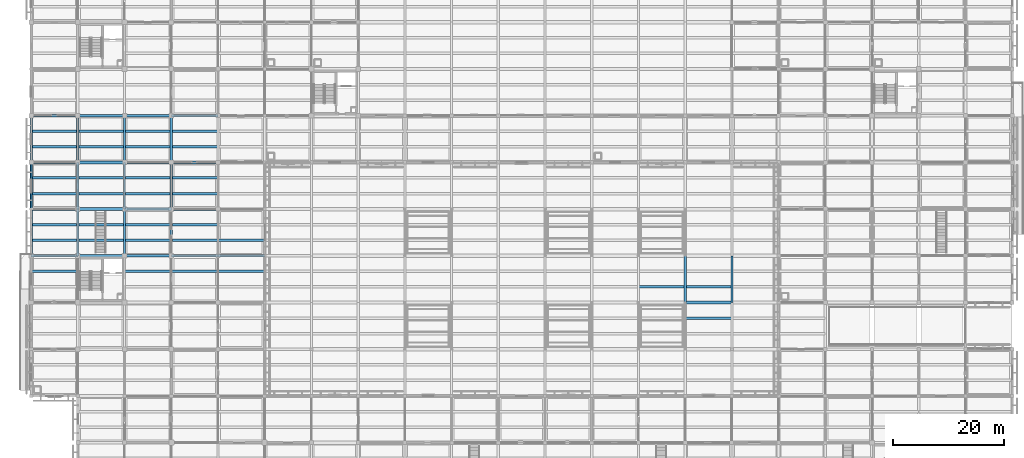
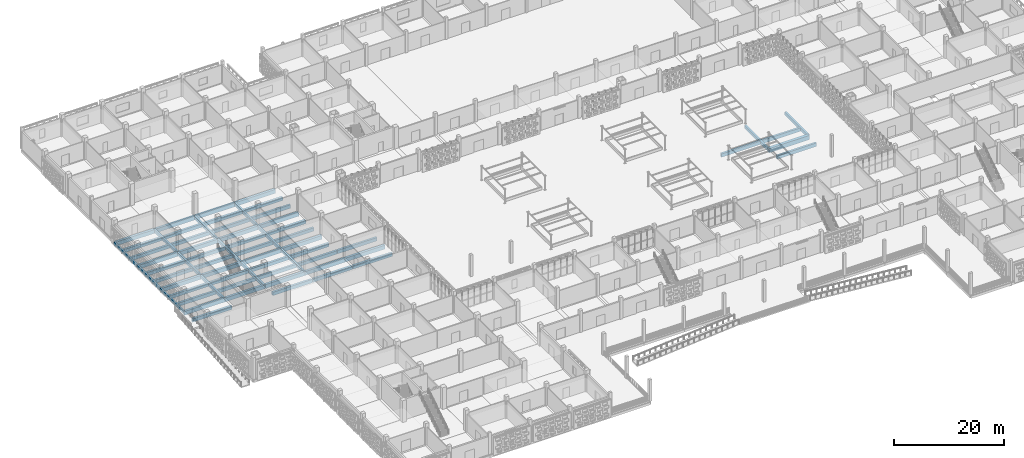
# One storey, part 20 of 129: 64 beams.
"""IFC4 building model written with IfcOpenShell, lengths in metres."""

from ifc_helpers import new_model, si_unit, direction, frame, origin, origin_2d, place, context, subcontext, project, spatial, rectangle, extrude, material, material_profile, profile_set, type_object, element, save


model = new_model("IFC4")

# Units and contexts
model_context = context("Model", 3, precision=1e-05, world=origin(), true_north=direction((0.0, 1.0)))
body_context = subcontext(model_context, "Body", "Model", "MODEL_VIEW")
ifc_project = project(units=[si_unit("LENGTHUNIT", "METRE"), si_unit("AREAUNIT", "SQUARE_METRE"), si_unit("VOLUMEUNIT", "CUBIC_METRE"), si_unit("PLANEANGLEUNIT", "RADIAN"), si_unit("MASSUNIT", "GRAM", prefix="KILO")], contexts=[model_context])

# Site, building, storey
site_placement = place(None, origin())
site = spatial("IfcSite", under=ifc_project, at=site_placement, CompositionType="ELEMENT")
building_placement = place(site_placement, origin())
building = spatial("IfcBuilding", under=site, at=building_placement, Name="Varnapada Polytechnic", CompositionType="ELEMENT")
storey_placement = place(building_placement, origin())
storey = spatial("IfcBuildingStorey", under=building, at=storey_placement, Name="L00", CompositionType="ELEMENT", Elevation=0.0)

# Beams
ifc_material = material(Name="Concrete C40/50", Category="concrete")
ifc_material_profile_1 = material_profile(ifc_material, rectangle(XDim=0.449951171875, YDim=0.75, at=origin_2d()), Name="RC 450x750")
ifc_profile_set_1 = profile_set([ifc_material_profile_1], Name="Concrete C40/50")
beam_type_1 = type_object("IfcBeamType", Name="Basement/podium secondary beam BB-01 (RC 450x750)", PredefinedType="BEAM", material=ifc_profile_set_1)
for number, where, z_axis, x_axis, name in (
    (1, (0.080078125, 64.39990234375, -0.675048828125), (1.0, 0.0, 0.0), (0.0, 1.0, 0.0), "L00 floor joist 1/8.2"),
    (2, (0.080078125, 70.0, -0.675048828125), (1.0, 0.0, 0.0), (0.0, 1.0, 0.0), "L00 floor joist 1/9.1"),
    (3, (0.080078125, 72.800048828125, -0.675048828125), (1.0, 0.0, 0.0), (0.0, 1.0, 0.0), "L00 floor joist 1/9.2"),
    (4, (0.080078125, 78.39990234375, -0.675048828125), (1.0, 0.0, 0.0), (0.0, 1.0, 0.0), "L00 floor joist 1/10.1"),
    (5, (0.080078125, 81.199951171875, -0.675048828125), (1.0, 0.0, 0.0), (0.0, 1.0, 0.0), "L00 floor joist 1/10.2"),
    (6, (0.080078125, 86.800048828125, -0.675048828125), (1.0, 0.0, 0.0), (0.0, 1.0, 0.0), "L00 floor joist 1/11.1"),
    (7, (0.080078125, 89.60009765625, -0.675048828125), (1.0, 0.0, 0.0), (0.0, 1.0, 0.0), "L00 floor joist 1/11.2"),
    (8, (8.47998046875, 70.0, -0.675048828125), (1.0, 0.0, 0.0), (0.0, 1.0, 0.0), "L00 floor joist 2/9.1"),
    (9, (8.47998046875, 72.800048828125, -0.675048828125), (1.0, 0.0, 0.0), (0.0, 1.0, 0.0), "L00 floor joist 2/9.2"),
    (10, (8.47998046875, 78.39990234375, -0.675048828125), (1.0, 0.0, 0.0), (0.0, 1.0, 0.0), "L00 floor joist 2/10.1"),
    (11, (8.47998046875, 81.199951171875, -0.675048828125), (1.0, 0.0, 0.0), (0.0, 1.0, 0.0), "L00 floor joist 2/10.2"),
    (12, (8.47998046875, 86.800048828125, -0.675048828125), (1.0, 0.0, 0.0), (0.0, 1.0, 0.0), "L00 floor joist 2/11.1"),
    (13, (8.47998046875, 89.60009765625, -0.675048828125), (1.0, 0.0, 0.0), (0.0, 1.0, 0.0), "L00 floor joist 2/11.2"),
):
    element("IfcBeam", number, at=place(storey_placement, frame(where, z_axis=z_axis, x_axis=x_axis)), inside=storey, type_object=beam_type_1, Name=name, PredefinedType="BEAM", context=body_context, shape_type="SweptSolid", body=[
        extrude(rectangle(XDim=0.449951171875, YDim=0.75, at=origin_2d()), origin(), (0.0, 0.0, 1.0), 8.239990234375),
    ])
for number, where, z_axis, x_axis, name in (
    (14, (16.8798828125, 64.39990234375, -0.675048828125), (1.0, 0.0, 0.0), (0.0, 1.0, 0.0), "L00 floor joist 3/8.2"),
    (15, (16.8798828125, 70.0, -0.675048828125), (1.0, 0.0, 0.0), (0.0, 1.0, 0.0), "L00 floor joist 3/9.1"),
    (16, (16.8798828125, 72.800048828125, -0.675048828125), (1.0, 0.0, 0.0), (0.0, 1.0, 0.0), "L00 floor joist 3/9.2"),
    (17, (16.8798828125, 78.39990234375, -0.675048828125), (1.0, 0.0, 0.0), (0.0, 1.0, 0.0), "L00 floor joist 3/10.1"),
    (18, (16.8798828125, 81.199951171875, -0.675048828125), (1.0, 0.0, 0.0), (0.0, 1.0, 0.0), "L00 floor joist 3/10.2"),
    (19, (16.8798828125, 86.800048828125, -0.675048828125), (1.0, 0.0, 0.0), (0.0, 1.0, 0.0), "L00 floor joist 3/11.1"),
    (20, (16.8798828125, 89.60009765625, -0.675048828125), (1.0, 0.0, 0.0), (0.0, 1.0, 0.0), "L00 floor joist 3/11.2"),
):
    element("IfcBeam", number, at=place(storey_placement, frame(where, z_axis=z_axis, x_axis=x_axis)), inside=storey, type_object=beam_type_1, Name=name, PredefinedType="BEAM", context=body_context, shape_type="SweptSolid", body=[
        extrude(rectangle(XDim=0.449951171875, YDim=0.75, at=origin_2d()), origin(), (0.0, 0.0, 1.0), 8.240234375),
    ])
for number, where, z_axis, x_axis, name in (
    (21, (25.280029296875, 64.39990234375, -0.675048828125), (1.0, 0.0, 0.0), (0.0, 1.0, 0.0), "L00 floor joist 4/8.2"),
    (22, (25.280029296875, 70.0, -0.675048828125), (1.0, 0.0, 0.0), (0.0, 1.0, 0.0), "L00 floor joist 4/9.1"),
    (23, (25.280029296875, 72.800048828125, -0.675048828125), (1.0, 0.0, 0.0), (0.0, 1.0, 0.0), "L00 floor joist 4/9.2"),
    (24, (25.280029296875, 78.39990234375, -0.675048828125), (1.0, 0.0, 0.0), (0.0, 1.0, 0.0), "L00 floor joist 4/10.1"),
    (25, (25.280029296875, 81.199951171875, -0.675048828125), (1.0, 0.0, 0.0), (0.0, 1.0, 0.0), "L00 floor joist 4/10.2"),
    (26, (25.280029296875, 86.800048828125, -0.675048828125), (1.0, 0.0, 0.0), (0.0, 1.0, 0.0), "L00 floor joist 4/11.1"),
    (27, (25.280029296875, 89.60009765625, -0.675048828125), (1.0, 0.0, 0.0), (0.0, 1.0, 0.0), "L00 floor joist 4/11.2"),
    (28, (33.679931640625, 64.39990234375, -0.675048828125), (1.0, 0.0, 0.0), (0.0, 1.0, 0.0), "L00 floor joist 5/8.2"),
    (29, (33.679931640625, 70.0, -0.675048828125), (1.0, 0.0, 0.0), (0.0, 1.0, 0.0), "L00 floor joist 5/9.1"),
    (30, (109.280029296875, 61.60009765625, -0.655029296875), (1.0, 0.0, 0.0), (0.0, 1.0, 0.0), "L00 floor joist 14/8.1"),
    (31, (117.679931640625, 56.0, -0.655029296875), (1.0, 0.0, 0.0), (0.0, 1.0, 0.0), "L00 floor joist 15/7.2"),
    (32, (117.679931640625, 61.60009765625, -0.655029296875), (1.0, 0.0, 0.0), (0.0, 1.0, 0.0), "L00 floor joist 15/8.1"),
):
    element("IfcBeam", number, at=place(storey_placement, frame(where, z_axis=z_axis, x_axis=x_axis)), inside=storey, type_object=beam_type_1, Name=name, PredefinedType="BEAM", context=body_context, shape_type="SweptSolid", body=[
        extrude(rectangle(XDim=0.449951171875, YDim=0.75, at=origin_2d()), origin(), (0.0, 0.0, 1.0), 8.239990234375),
    ])
ifc_material_profile_2 = material_profile(ifc_material, rectangle(XDim=0.35009765625, YDim=0.550048828125, at=origin_2d()), Name="RC 350x550")
ifc_profile_set_2 = profile_set([ifc_material_profile_2], Name="Concrete C40/50")
beam_type_2 = type_object("IfcBeamType", Name="Concrete podium spandrel beam SP-01 (RC 350x550)", PredefinedType="SPANDREL", material=ifc_profile_set_2)
beam_1_placement = place(storey_placement, frame((0.0, 67.199951171875, -0.574951171875), z_axis=(0.0, 1.0, 0.0), x_axis=(-1.0, 0.0, 0.0)))
element("IfcBeam", 33, at=beam_1_placement, inside=storey, type_object=beam_type_2, Name="L00 beam Y 9-10 at X1", PredefinedType="SPANDREL", context=body_context, shape_type="SweptSolid", body=[
    extrude(rectangle(XDim=0.35009765625, YDim=0.550048828125, at=origin_2d()), origin(), (0.0, 0.0, 1.0), 8.400146484375),
])
for number, where, z_axis, x_axis, name in (
    (34, (0.0, 75.60009765625, -0.574951171875), (0.0, 1.0, 0.0), (-1.0, 0.0, 0.0), "L00 beam Y 10-11 at X1"),
    (35, (0.0, 84.0, -0.574951171875), (0.0, 1.0, 0.0), (-1.0, 0.0, 0.0), "L00 beam Y 11-12 at X1"),
):
    element("IfcBeam", number, at=place(storey_placement, frame(where, z_axis=z_axis, x_axis=x_axis)), inside=storey, type_object=beam_type_2, Name=name, PredefinedType="SPANDREL", context=body_context, shape_type="SweptSolid", body=[
        extrude(rectangle(XDim=0.35009765625, YDim=0.550048828125, at=origin_2d()), origin(), (0.0, 0.0, 1.0), 8.39990234375),
    ])
ifc_material_profile_3 = material_profile(ifc_material, rectangle(XDim=0.39990234375, YDim=0.64990234375, at=origin_2d()), Name="RC 400x650")
ifc_profile_set_3 = profile_set([ifc_material_profile_3], Name="Concrete C40/50")
beam_type_3 = type_object("IfcBeamType", Name="Podium framing beam BB-02 (RC 400x650)", PredefinedType="BEAM", material=ifc_profile_set_3)
beam_2_placement = place(storey_placement, frame((8.39990234375, 67.199951171875, -0.625), z_axis=(0.0, 1.0, 0.0), x_axis=(-1.0, 0.0, 0.0)))
element("IfcBeam", 36, at=beam_2_placement, inside=storey, type_object=beam_type_3, Name="L00 beam Y 9-10 at X2", PredefinedType="BEAM", context=body_context, shape_type="SweptSolid", body=[
    extrude(rectangle(XDim=0.39990234375, YDim=0.64990234375, at=origin_2d()), origin(), (0.0, 0.0, 1.0), 8.400146484375),
])
for number, where, z_axis, x_axis, name in (
    (37, (8.39990234375, 75.60009765625, -0.625), (0.0, 1.0, 0.0), (-1.0, 0.0, 0.0), "L00 beam Y 10-11 at X2"),
    (38, (8.39990234375, 84.0, -0.625), (0.0, 1.0, 0.0), (-1.0, 0.0, 0.0), "L00 beam Y 11-12 at X2"),
):
    element("IfcBeam", number, at=place(storey_placement, frame(where, z_axis=z_axis, x_axis=x_axis)), inside=storey, type_object=beam_type_3, Name=name, PredefinedType="BEAM", context=body_context, shape_type="SweptSolid", body=[
        extrude(rectangle(XDim=0.39990234375, YDim=0.64990234375, at=origin_2d()), origin(), (0.0, 0.0, 1.0), 8.39990234375),
    ])
beam_3_placement = place(storey_placement, frame((16.800048828125, 67.199951171875, -0.625), z_axis=(0.0, 1.0, 0.0), x_axis=(-1.0, 0.0, 0.0)))
element("IfcBeam", 39, at=beam_3_placement, inside=storey, type_object=beam_type_3, Name="L00 beam Y 9-10 at X3", PredefinedType="BEAM", context=body_context, shape_type="SweptSolid", body=[
    extrude(rectangle(XDim=0.39990234375, YDim=0.64990234375, at=origin_2d()), origin(), (0.0, 0.0, 1.0), 8.400146484375),
])
for number, where, z_axis, x_axis, name in (
    (40, (16.800048828125, 75.60009765625, -0.625), (0.0, 1.0, 0.0), (-1.0, 0.0, 0.0), "L00 beam Y 10-11 at X3"),
    (41, (16.800048828125, 84.0, -0.625), (0.0, 1.0, 0.0), (-1.0, 0.0, 0.0), "L00 beam Y 11-12 at X3"),
):
    element("IfcBeam", number, at=place(storey_placement, frame(where, z_axis=z_axis, x_axis=x_axis)), inside=storey, type_object=beam_type_3, Name=name, PredefinedType="BEAM", context=body_context, shape_type="SweptSolid", body=[
        extrude(rectangle(XDim=0.39990234375, YDim=0.64990234375, at=origin_2d()), origin(), (0.0, 0.0, 1.0), 8.39990234375),
    ])
beam_4_placement = place(storey_placement, frame((25.199951171875, 67.199951171875, -0.625), z_axis=(0.0, 1.0, 0.0), x_axis=(-1.0, 0.0, 0.0)))
element("IfcBeam", 42, at=beam_4_placement, inside=storey, type_object=beam_type_3, Name="L00 beam Y 9-10 at X4", PredefinedType="BEAM", context=body_context, shape_type="SweptSolid", body=[
    extrude(rectangle(XDim=0.39990234375, YDim=0.64990234375, at=origin_2d()), origin(), (0.0, 0.0, 1.0), 8.400146484375),
])
for number, where, z_axis, x_axis, name in (
    (43, (25.199951171875, 75.60009765625, -0.625), (0.0, 1.0, 0.0), (-1.0, 0.0, 0.0), "L00 beam Y 10-11 at X4"),
    (44, (25.199951171875, 84.0, -0.625), (0.0, 1.0, 0.0), (-1.0, 0.0, 0.0), "L00 beam Y 11-12 at X4"),
    (45, (117.60009765625, 58.800048828125, -0.60498046875), (0.0, 1.0, 0.0), (-1.0, 0.0, 0.0), "L00 beam Y 8-9 at X15"),
    (46, (126.0, 58.800048828125, -0.60498046875), (0.0, 1.0, 0.0), (-1.0, 0.0, 0.0), "L00 beam Y 8-9 at X16"),
):
    element("IfcBeam", number, at=place(storey_placement, frame(where, z_axis=z_axis, x_axis=x_axis)), inside=storey, type_object=beam_type_3, Name=name, PredefinedType="BEAM", context=body_context, shape_type="SweptSolid", body=[
        extrude(rectangle(XDim=0.39990234375, YDim=0.64990234375, at=origin_2d()), origin(), (0.0, 0.0, 1.0), 8.39990234375),
    ])
ifc_material_profile_4 = material_profile(ifc_material, rectangle(XDim=0.5, YDim=0.85009765625, at=origin_2d()), Name="RC 500x850")
ifc_profile_set_4 = profile_set([ifc_material_profile_4], Name="Concrete C40/50")
beam_type_4 = type_object("IfcBeamType", Name="Standard podium primary girder BG-02 (RC 500x850)", PredefinedType="T_BEAM", material=ifc_profile_set_4)
for number, where, z_axis, x_axis, name in (
    (47, (0.0, 67.199951171875, -0.72509765625), (1.0, 0.0, 0.0), (0.0, 1.0, 0.0), "L00 beam X 1-2 at Y9"),
    (48, (0.0, 75.60009765625, -0.72509765625), (1.0, 0.0, 0.0), (0.0, 1.0, 0.0), "L00 beam X 1-2 at Y10"),
    (49, (0.0, 84.0, -0.72509765625), (1.0, 0.0, 0.0), (0.0, 1.0, 0.0), "L00 beam X 1-2 at Y11"),
    (50, (0.0, 92.39990234375, -0.72509765625), (1.0, 0.0, 0.0), (0.0, 1.0, 0.0), "L00 beam X 1-2 at Y12"),
):
    element("IfcBeam", number, at=place(storey_placement, frame(where, z_axis=z_axis, x_axis=x_axis)), inside=storey, type_object=beam_type_4, Name=name, PredefinedType="T_BEAM", context=body_context, shape_type="SweptSolid", body=[
        extrude(rectangle(XDim=0.5, YDim=0.85009765625, at=origin_2d()), origin(), (0.0, 0.0, 1.0), 8.39990234375),
    ])
for number, where, z_axis, x_axis, name in (
    (51, (8.39990234375, 67.199951171875, -0.72509765625), (1.0, 0.0, 0.0), (0.0, 1.0, 0.0), "L00 beam X 2-3 at Y9"),
    (52, (8.39990234375, 75.60009765625, -0.72509765625), (1.0, 0.0, 0.0), (0.0, 1.0, 0.0), "L00 beam X 2-3 at Y10"),
    (53, (8.39990234375, 84.0, -0.72509765625), (1.0, 0.0, 0.0), (0.0, 1.0, 0.0), "L00 beam X 2-3 at Y11"),
    (54, (8.39990234375, 92.39990234375, -0.72509765625), (1.0, 0.0, 0.0), (0.0, 1.0, 0.0), "L00 beam X 2-3 at Y12"),
):
    element("IfcBeam", number, at=place(storey_placement, frame(where, z_axis=z_axis, x_axis=x_axis)), inside=storey, type_object=beam_type_4, Name=name, PredefinedType="T_BEAM", context=body_context, shape_type="SweptSolid", body=[
        extrude(rectangle(XDim=0.5, YDim=0.85009765625, at=origin_2d()), origin(), (0.0, 0.0, 1.0), 8.400146484375),
    ])
for number, where, z_axis, x_axis, name in (
    (55, (16.800048828125, 67.199951171875, -0.72509765625), (1.0, 0.0, 0.0), (0.0, 1.0, 0.0), "L00 beam X 3-4 at Y9"),
    (56, (16.800048828125, 75.60009765625, -0.72509765625), (1.0, 0.0, 0.0), (0.0, 1.0, 0.0), "L00 beam X 3-4 at Y10"),
    (57, (16.800048828125, 84.0, -0.72509765625), (1.0, 0.0, 0.0), (0.0, 1.0, 0.0), "L00 beam X 3-4 at Y11"),
    (58, (16.800048828125, 92.39990234375, -0.72509765625), (1.0, 0.0, 0.0), (0.0, 1.0, 0.0), "L00 beam X 3-4 at Y12"),
):
    element("IfcBeam", number, at=place(storey_placement, frame(where, z_axis=z_axis, x_axis=x_axis)), inside=storey, type_object=beam_type_4, Name=name, PredefinedType="T_BEAM", context=body_context, shape_type="SweptSolid", body=[
        extrude(rectangle(XDim=0.5, YDim=0.85009765625, at=origin_2d()), origin(), (0.0, 0.0, 1.0), 8.39990234375),
    ])
for number, where, z_axis, x_axis, name in (
    (59, (25.199951171875, 67.199951171875, -0.72509765625), (1.0, 0.0, 0.0), (0.0, 1.0, 0.0), "L00 beam X 4-5 at Y9"),
    (60, (25.199951171875, 75.60009765625, -0.72509765625), (1.0, 0.0, 0.0), (0.0, 1.0, 0.0), "L00 beam X 4-5 at Y10"),
    (61, (25.199951171875, 84.0, -0.72509765625), (1.0, 0.0, 0.0), (0.0, 1.0, 0.0), "L00 beam X 4-5 at Y11"),
    (62, (25.199951171875, 92.39990234375, -0.72509765625), (1.0, 0.0, 0.0), (0.0, 1.0, 0.0), "L00 beam X 4-5 at Y12"),
):
    element("IfcBeam", number, at=place(storey_placement, frame(where, z_axis=z_axis, x_axis=x_axis)), inside=storey, type_object=beam_type_4, Name=name, PredefinedType="T_BEAM", context=body_context, shape_type="SweptSolid", body=[
        extrude(rectangle(XDim=0.5, YDim=0.85009765625, at=origin_2d()), origin(), (0.0, 0.0, 1.0), 8.400146484375),
    ])
beam_5_placement = place(storey_placement, frame((33.60009765625, 67.199951171875, -0.72509765625), z_axis=(1.0, 0.0, 0.0), x_axis=(0.0, 1.0, 0.0)))
element("IfcBeam", 63, at=beam_5_placement, inside=storey, type_object=beam_type_4, Name="L00 beam X 5-6 at Y9", PredefinedType="T_BEAM", context=body_context, shape_type="SweptSolid", body=[
    extrude(rectangle(XDim=0.5, YDim=0.85009765625, at=origin_2d()), origin(), (0.0, 0.0, 1.0), 8.39990234375),
])
ifc_material_profile_5 = material_profile(ifc_material, rectangle(XDim=0.60009765625, YDim=0.949951171875, at=origin_2d()), Name="RC 600x950")
ifc_profile_set_5 = profile_set([ifc_material_profile_5], Name="Concrete C40/50")
beam_type_5 = type_object("IfcBeamType", Name="Workshop podium heavy girder BG-03 (RC 600x950)", PredefinedType="T_BEAM", material=ifc_profile_set_5)
beam_6_placement = place(storey_placement, frame((117.60009765625, 58.800048828125, -0.7548828125), z_axis=(1.0, 0.0, 0.0), x_axis=(0.0, 1.0, 0.0)))
element("IfcBeam", 64, at=beam_6_placement, inside=storey, type_object=beam_type_5, Name="L00 beam X 15-16 at Y8", PredefinedType="T_BEAM", context=body_context, shape_type="SweptSolid", body=[
    extrude(rectangle(XDim=0.60009765625, YDim=0.949951171875, at=origin_2d()), origin(), (0.0, 0.0, 1.0), 8.39990234375),
])

save(model, "model.ifc")
